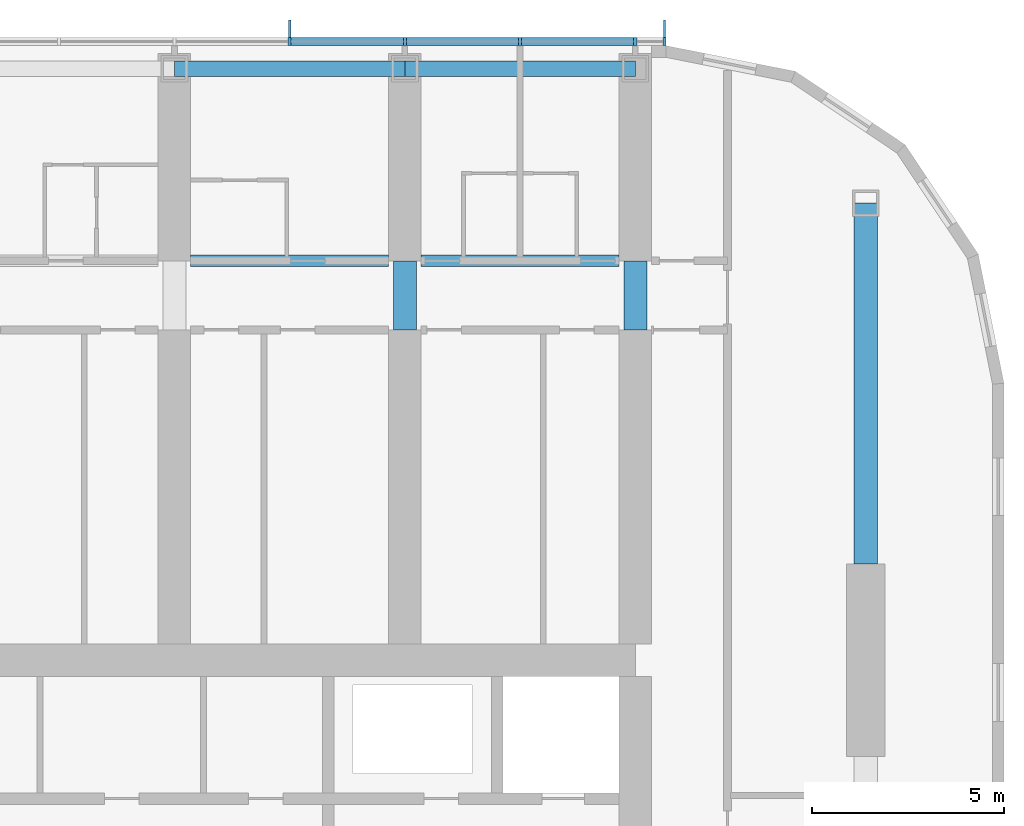
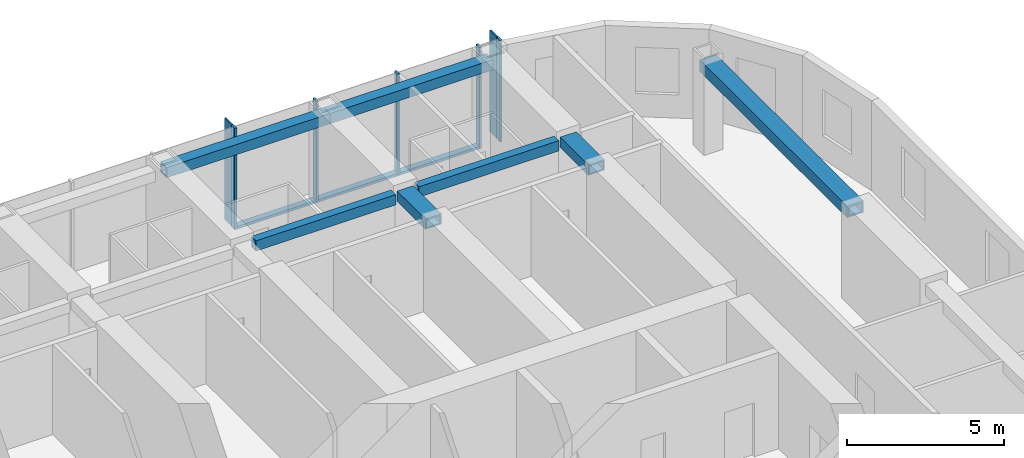
# One storey, part 9 of 29: 10 members, 7 beams, 1 element without a shape of its own.
"""IFC4 building model written with IfcOpenShell, lengths in metres."""

from ifc_helpers import new_model, si_unit, direction, frame, origin, origin_2d, place, context, subcontext, project, spatial, rectangle, hollow_rectangle, extrude, material, material_profile, profile_set, type_object, element, aggregate, save


model = new_model("IFC4")

# Units and contexts
model_context = context("Model", 3, precision=1e-05, world=origin(), true_north=direction((0.0, 1.0)))
body_context = subcontext(model_context, "Body", "Model", "MODEL_VIEW")
ifc_project = project(units=[si_unit("LENGTHUNIT", "METRE"), si_unit("AREAUNIT", "SQUARE_METRE"), si_unit("VOLUMEUNIT", "CUBIC_METRE"), si_unit("PLANEANGLEUNIT", "RADIAN"), si_unit("MASSUNIT", "GRAM", prefix="KILO")], contexts=[model_context])

# Site, building, storey
site_placement = place(None, origin())
site = spatial("IfcSite", under=ifc_project, at=site_placement, CompositionType="ELEMENT")
building_placement = place(site_placement, origin())
building = spatial("IfcBuilding", under=site, at=building_placement, Name="Orbita Commons", CompositionType="ELEMENT")
storey_placement = place(building_placement, frame((0.0, 0.0, 163.60009765625)))
storey = spatial("IfcBuildingStorey", under=building, at=storey_placement, Name="L40", CompositionType="ELEMENT", Elevation=163.60009765625)

# Curtain wall, members
ifc_material_1 = material(Name="Anodised aluminium frame, pale silver", Category="aluminium")
curtain_wall_type = type_object("IfcCurtainWallType", Name="Unitised curtain wall CW-U, full-height vision", PredefinedType="NOTDEFINED", material=ifc_material_1)
curtain_wall_placement = place(storey_placement, origin())
curtain_wall = element("IfcCurtainWall", 1, at=curtain_wall_placement, inside=storey, type_object=curtain_wall_type, Name="Curtain wall north L40", PredefinedType="NOTDEFINED")
ifc_material_2 = material(Name="Anodised aluminium, pale silver", Category="aluminium")
ifc_material_profile_1 = material_profile(ifc_material_2, rectangle(XDim=0.080078125, YDim=0.219970703125, at=origin_2d()), Name="AL 80x220")
ifc_profile_set_1 = profile_set([ifc_material_profile_1], Name="Anodised aluminium, pale silver")
member_type_1 = type_object("IfcMemberType", Name="Curtain wall mullion 80x220", PredefinedType="MULLION", material=ifc_profile_set_1)
member_1_placement = place(storey_placement, frame((66.760009765625, 54.31005859375, -0.4501953125), z_axis=(0.0, 0.0, 1.0), x_axis=(-1.0, 0.0, 0.0)))
member_1 = element("IfcMember", 2, at=member_1_placement, type_object=member_type_1, Name="Mullion 1 CW-L40-N", PredefinedType="MULLION", context=body_context, shape_type="SweptSolid", body=[
    extrude(rectangle(XDim=0.080078125, YDim=0.219970703125, at=origin_2d()), origin(), (0.0, 0.0, 1.0), 3.9501953125),
])
member_2_placement = place(storey_placement, frame((66.0, 54.31005859375, -0.4501953125), z_axis=(0.0, 0.0, 1.0), x_axis=(-1.0, 0.0, 0.0)))
member_2 = element("IfcMember", 3, at=member_2_placement, type_object=member_type_1, Name="Mullion 2 CW-L40-N", PredefinedType="MULLION", context=body_context, shape_type="SweptSolid", body=[
    extrude(rectangle(XDim=0.080078125, YDim=0.219970703125, at=origin_2d()), origin(), (0.0, 0.0, 1.0), 3.9501953125),
])
member_3_placement = place(storey_placement, frame((63.0, 54.31005859375, -0.4501953125), z_axis=(0.0, 0.0, 1.0), x_axis=(-1.0, 0.0, 0.0)))
member_3 = element("IfcMember", 4, at=member_3_placement, type_object=member_type_1, Name="Mullion 3 CW-L40-N", PredefinedType="MULLION", context=body_context, shape_type="SweptSolid", body=[
    extrude(rectangle(XDim=0.080078125, YDim=0.219970703125, at=origin_2d()), origin(), (0.0, 0.0, 1.0), 3.9501953125),
])
member_4_placement = place(storey_placement, frame((60.0, 54.31005859375, -0.4501953125), z_axis=(0.0, 0.0, 1.0), x_axis=(-1.0, 0.0, 0.0)))
member_4 = element("IfcMember", 5, at=member_4_placement, type_object=member_type_1, Name="Mullion 4 CW-L40-N", PredefinedType="MULLION", context=body_context, shape_type="SweptSolid", body=[
    extrude(rectangle(XDim=0.080078125, YDim=0.219970703125, at=origin_2d()), origin(), (0.0, 0.0, 1.0), 3.9501953125),
])
member_5_placement = place(storey_placement, frame((57.0, 54.31005859375, -0.4501953125), z_axis=(0.0, 0.0, 1.0), x_axis=(-1.0, 0.0, 0.0)))
member_5 = element("IfcMember", 6, at=member_5_placement, type_object=member_type_1, Name="Mullion 5 CW-L40-N", PredefinedType="MULLION", context=body_context, shape_type="SweptSolid", body=[
    extrude(rectangle(XDim=0.080078125, YDim=0.219970703125, at=origin_2d()), origin(), (0.0, 0.0, 1.0), 3.9501953125),
])
ifc_material_3 = material(Name="Anodised aluminium, pale silver", Category="aluminium")
ifc_material_profile_2 = material_profile(ifc_material_3, rectangle(XDim=0.219970703125, YDim=0.10009765625, at=origin_2d()), Name="AL 220x100")
ifc_profile_set_2 = profile_set([ifc_material_profile_2], Name="Anodised aluminium, pale silver")
member_type_2 = type_object("IfcMemberType", Name="Curtain wall stack transom 220x100", PredefinedType="USERDEFINED", material=ifc_profile_set_2)
member_6_placement = place(storey_placement, frame((65.9599609375, 54.31005859375, -0.400146484375), z_axis=(-1.0, 0.0, 0.0), x_axis=(0.0, -1.0, 0.0)))
member_6 = element("IfcMember", 7, at=member_6_placement, type_object=member_type_2, Name="Transom 2.1 CW-L40-N", ObjectType="TRANSOM", PredefinedType="USERDEFINED", context=body_context, shape_type="SweptSolid", body=[
    extrude(rectangle(XDim=0.219970703125, YDim=0.10009765625, at=origin_2d()), origin(), (0.0, 0.0, 1.0), 2.919921875),
])
member_7_placement = place(storey_placement, frame((62.9599609375, 54.31005859375, -0.400146484375), z_axis=(-1.0, 0.0, 0.0), x_axis=(0.0, -1.0, 0.0)))
member_7 = element("IfcMember", 8, at=member_7_placement, type_object=member_type_2, Name="Transom 3.1 CW-L40-N", ObjectType="TRANSOM", PredefinedType="USERDEFINED", context=body_context, shape_type="SweptSolid", body=[
    extrude(rectangle(XDim=0.219970703125, YDim=0.10009765625, at=origin_2d()), origin(), (0.0, 0.0, 1.0), 2.919921875),
])
member_8_placement = place(storey_placement, frame((59.9599609375, 54.31005859375, -0.400146484375), z_axis=(-1.0, 0.0, 0.0), x_axis=(0.0, -1.0, 0.0)))
member_8 = element("IfcMember", 9, at=member_8_placement, type_object=member_type_2, Name="Transom 4.1 CW-L40-N", ObjectType="TRANSOM", PredefinedType="USERDEFINED", context=body_context, shape_type="SweptSolid", body=[
    extrude(rectangle(XDim=0.219970703125, YDim=0.10009765625, at=origin_2d()), origin(), (0.0, 0.0, 1.0), 2.919921875),
])

# Beams
ifc_material_4 = material(Name="Steel ASTM A572 Gr 50 welded plate", Category="steel")
ifc_material_profile_3 = material_profile(ifc_material_4, hollow_rectangle(XDim=0.300048828125, YDim=0.39990234375, WallThickness=0.0400390625, at=origin_2d()), Name="BOX 400x300x40")
ifc_profile_set_3 = profile_set([ifc_material_profile_3], Name="Steel ASTM A572 Gr 50 welded plate")
beam_type_1 = type_object("IfcBeamType", Name="Steel corridor link BOX 400x300x40", PredefinedType="BEAM", material=ifc_profile_set_3)
for number, where, z_axis, x_axis, name in (
    (10, (54.425048828125, 48.60009765625, 3.2998046875), (1.0, 0.0, 0.0), (0.0, 1.0, 0.0), "Corridor beam NB 10-11 L40"),
    (11, (60.425048828125, 48.60009765625, 3.2998046875), (1.0, 0.0, 0.0), (0.0, 1.0, 0.0), "Corridor beam NB 11-12 L40"),
):
    element("IfcBeam", number, at=place(storey_placement, frame(where, z_axis=z_axis, x_axis=x_axis)), inside=storey, type_object=beam_type_1, Name=name, PredefinedType="BEAM", context=body_context, shape_type="SweptSolid", body=[
        extrude(hollow_rectangle(XDim=0.300048828125, YDim=0.39990234375, WallThickness=0.0400390625, at=origin_2d()), origin(), (0.0, 0.0, 1.0), 5.14990234375),
    ])
ifc_material_5 = material(Name="Steel ASTM A572 Gr 50 welded plate", Category="steel")
ifc_material_profile_4 = material_profile(ifc_material_5, hollow_rectangle(XDim=0.60009765625, YDim=0.39990234375, WallThickness=0.050048828125, at=origin_2d()), Name="BOX 400x600x50")
ifc_profile_set_4 = profile_set([ifc_material_profile_4], Name="Steel ASTM A572 Gr 50 welded plate")
beam_type_2 = type_object("IfcBeamType", Name="Steel coupling link BOX 400x600x50", PredefinedType="LINTEL", material=ifc_profile_set_4)
for number, where, z_axis, x_axis, name in (
    (12, (60.0, 46.800048828125, 3.2998046875), (0.0, 1.0, 0.0), (-1.0, 0.0, 0.0), "Coupling beam 11 north L40"),
    (13, (66.0, 46.800048828125, 3.2998046875), (0.0, 1.0, 0.0), (-1.0, 0.0, 0.0), "Coupling beam 12 north L40"),
):
    element("IfcBeam", number, at=place(storey_placement, frame(where, z_axis=z_axis, x_axis=x_axis)), inside=storey, type_object=beam_type_2, Name=name, PredefinedType="LINTEL", context=body_context, shape_type="SweptSolid", body=[
        extrude(hollow_rectangle(XDim=0.60009765625, YDim=0.39990234375, WallThickness=0.050048828125, at=origin_2d()), origin(), (0.0, 0.0, 1.0), 1.800048828125),
    ])
ifc_material_6 = material(Name="Steel ASTM A572 Gr 50 welded plate", Category="steel")
ifc_material_profile_5 = material_profile(ifc_material_6, hollow_rectangle(XDim=0.60009765625, YDim=0.449951171875, WallThickness=0.06005859375, at=origin_2d()), Name="BOX 450x600x60")
ifc_profile_set_5 = profile_set([ifc_material_profile_5], Name="Steel ASTM A572 Gr 50 welded plate")
beam_type_3 = type_object("IfcBeamType", Name="Steel end frame link BOX 450x600x60", PredefinedType="BEAM", material=ifc_profile_set_5)
beam_placement = place(storey_placement, frame((72.0, 40.699951171875, 3.27490234375), z_axis=(0.0, 1.0, 0.0), x_axis=(-1.0, 0.0, 0.0)))
element("IfcBeam", 14, at=beam_placement, inside=storey, type_object=beam_type_3, Name="End frame beam 13 D-E L40", PredefinedType="BEAM", context=body_context, shape_type="SweptSolid", body=[
    extrude(hollow_rectangle(XDim=0.60009765625, YDim=0.449951171875, WallThickness=0.06005859375, at=origin_2d()), origin(), (0.0, 0.0, 1.0), 9.400146484375),
])
ifc_material_7 = material(Name="Steel ASTM A572 Gr 50 welded plate", Category="steel")
ifc_material_profile_6 = material_profile(ifc_material_7, hollow_rectangle(XDim=0.39990234375, YDim=0.39990234375, WallThickness=0.0400390625, at=origin_2d()), Name="BOX 400x400x40")
ifc_profile_set_6 = profile_set([ifc_material_profile_6], Name="Steel ASTM A572 Gr 50 welded plate")
beam_type_4 = type_object("IfcBeamType", Name="Steel spandrel BOX 400x400x40", PredefinedType="SPANDREL", material=ifc_profile_set_6)
for number, where, z_axis, x_axis, name in (
    (15, (54.0, 53.60009765625, 3.2998046875), (1.0, 0.0, 0.0), (0.0, 1.0, 0.0), "Spandrel beam E 10-11 L40"),
    (16, (60.0, 53.60009765625, 3.2998046875), (1.0, 0.0, 0.0), (0.0, 1.0, 0.0), "Spandrel beam E 11-12 L40"),
):
    element("IfcBeam", number, at=place(storey_placement, frame(where, z_axis=z_axis, x_axis=x_axis)), inside=storey, type_object=beam_type_4, Name=name, PredefinedType="SPANDREL", context=body_context, shape_type="SweptSolid", body=[
        extrude(hollow_rectangle(XDim=0.39990234375, YDim=0.39990234375, WallThickness=0.0400390625, at=origin_2d()), origin(), (0.0, 0.0, 1.0), 6.0),
    ])

# Member
ifc_material_8 = material(Name="Anodised aluminium, pale silver", Category="aluminium")
ifc_material_profile_7 = material_profile(ifc_material_8, rectangle(XDim=0.06005859375, YDim=0.449951171875, at=origin_2d()), Name="FIN 60x450")
ifc_profile_set_7 = profile_set([ifc_material_profile_7], Name="Anodised aluminium, pale silver")
member_type_3 = type_object("IfcMemberType", Name="Vertical fin 60x450 pale aluminium", PredefinedType="USERDEFINED", material=ifc_profile_set_7)
member_9_placement = place(storey_placement, frame((66.760009765625, 54.64501953125, -0.4501953125), z_axis=(0.0, 0.0, 1.0), x_axis=(-1.0, 0.0, 0.0)))
member_9 = element("IfcMember", 17, at=member_9_placement, type_object=member_type_3, Name="Fin 1 CW-L40-N", ObjectType="FIN", PredefinedType="USERDEFINED", context=body_context, shape_type="SweptSolid", body=[
    extrude(rectangle(XDim=0.06005859375, YDim=0.449951171875, at=origin_2d()), origin(), (0.0, 0.0, 1.0), 3.9501953125),
])

member_10_placement = place(storey_placement, frame((57.0, 54.64501953125, -0.4501953125), z_axis=(0.0, 0.0, 1.0), x_axis=(-1.0, 0.0, 0.0)))
member_10 = element("IfcMember", 18, at=member_10_placement, type_object=member_type_3, Name="Fin 5 CW-L40-N", ObjectType="FIN", PredefinedType="USERDEFINED", context=body_context, shape_type="SweptSolid", body=[
    extrude(rectangle(XDim=0.06005859375, YDim=0.449951171875, at=origin_2d()), origin(), (0.0, 0.0, 1.0), 3.9501953125),
])

aggregate(curtain_wall, [member_1, member_9, member_2, member_3, member_4, member_5, member_10, member_6, member_7, member_8])

save(model, "model.ifc")
